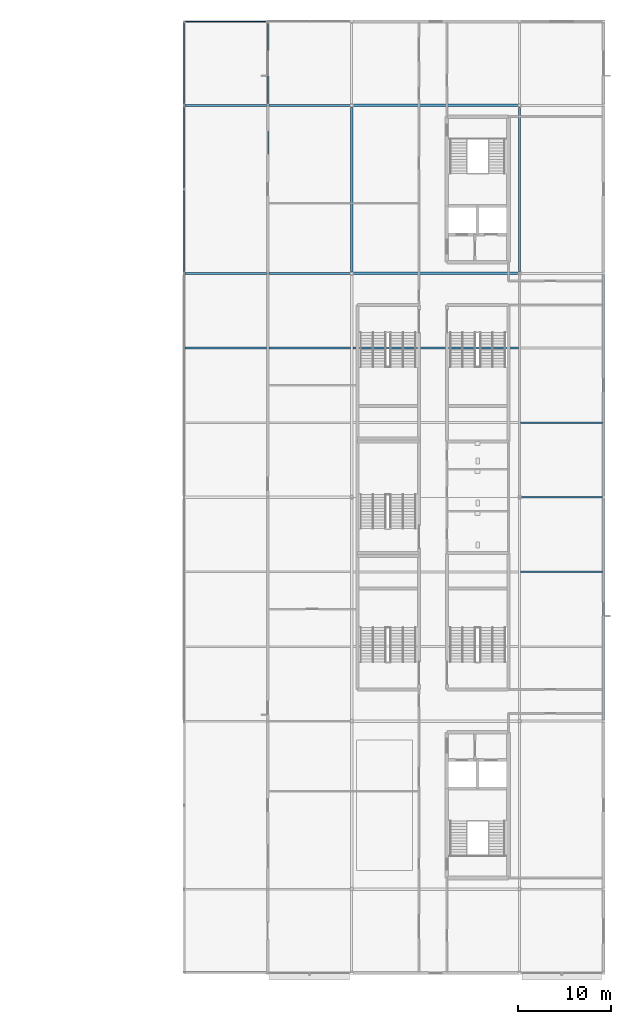
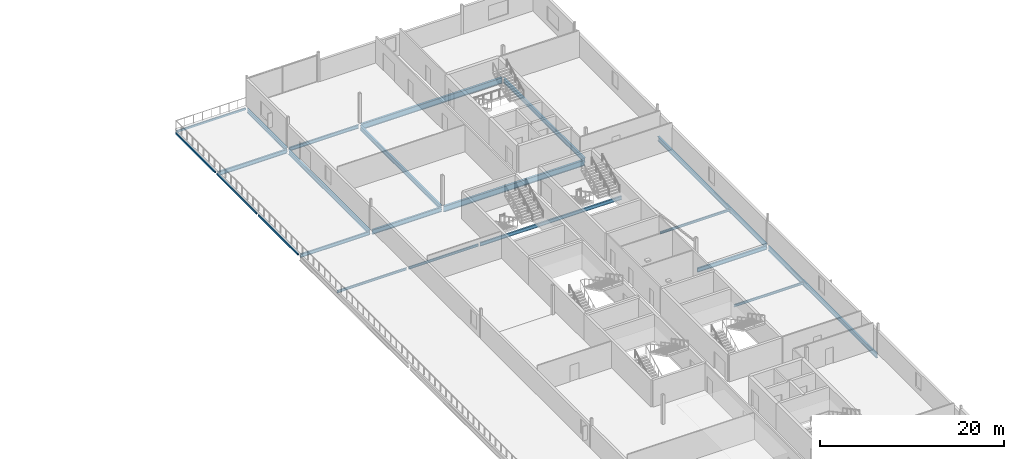
# One storey, part 24 of 55: 22 beams.
"""IFC4 building model written with IfcOpenShell, lengths in metres."""

import ifcopenshell
import ifcopenshell.guid

model = None  # the IFC model being written
_history = None  # IfcOwnerHistory: only IFC2X3 demands one
_inside = {}  # id of a spatial element -> (the spatial element, [elements in it])
_under = {}  # id of a project, library or spatial element -> (it, [spatial elements below it])
_declared = {}  # id of a project -> (the project, [libraries it declares])
_typed = {}  # id of a type object -> (the type object, [elements of that type])
_made_of = {}  # id of a material, layer set ... -> (it, [elements and type objects made of it])


def new_model(schema):
    """Start an empty IFC model of exactly this schema.

    Asked for "IFC4X3", IfcOpenShell would pick the latest addendum, in which some entities
    have other attributes; the version numbers below select the first issue.
    IFC2X3 requires an IfcOwnerHistory on every rooted entity: one is made here for all.
    """
    global model, _history
    if schema == "IFC4X3":
        model = ifcopenshell.file(schema_version=(4, 3, 0, 0))
    else:
        model = ifcopenshell.file(schema=schema)
    _inside.clear()
    _under.clear()
    _declared.clear()
    _typed.clear()
    _made_of.clear()
    _history = None
    if model.schema == "IFC2X3":
        org = make("IfcOrganization", Name="unknown")
        user = make(
            "IfcPersonAndOrganization",
            ThePerson=make("IfcPerson", FamilyName="unknown"),
            TheOrganization=org,
        )
        app = make(
            "IfcApplication",
            ApplicationDeveloper=org,
            Version="unknown",
            ApplicationFullName="unknown",
            ApplicationIdentifier="unknown",
        )
        _history = make(
            "IfcOwnerHistory",
            OwningUser=user,
            OwningApplication=app,
            ChangeAction="ADDED",
            CreationDate=0,
        )
    return model


def make(cls, **values):
    """One entity of the class cls with the attributes given. An attribute that is None is left unset."""
    return model.create_entity(
        cls, **{name: value for name, value in values.items() if value is not None}
    )


def rooted(cls, **values):
    """An entity with a GlobalId (a new one), such as an element, a storey or a relation."""
    return make(cls, GlobalId=ifcopenshell.guid.new(), OwnerHistory=_history, **values)


def si_unit(unit_type, name, prefix=None):
    """IfcSIUnit, for example si_unit("LENGTHUNIT", "METRE", prefix="MILLI")."""
    return make("IfcSIUnit", UnitType=unit_type, Prefix=prefix, Name=name)


def assignment(units):
    """IfcUnitAssignment: the units of a project."""
    return None if units is None else make("IfcUnitAssignment", Units=units)


def point(xyz):
    """IfcCartesianPoint."""
    return None if xyz is None else make("IfcCartesianPoint", Coordinates=xyz)


def direction(xyz):
    """IfcDirection."""
    return None if xyz is None else make("IfcDirection", DirectionRatios=xyz)


def frame(location, z_axis=None, x_axis=None):
    """IfcAxis2Placement3D, a coordinate frame: its origin and axes. An axis left out is left unset."""
    return make(
        "IfcAxis2Placement3D",
        Location=point(location),
        Axis=direction(z_axis),
        RefDirection=direction(x_axis),
    )


def frame_2d(location, x_axis=None):
    """IfcAxis2Placement2D, a coordinate frame in the plane: its origin and x axis."""
    return make(
        "IfcAxis2Placement2D", Location=point(location), RefDirection=direction(x_axis)
    )


def origin():
    """The frame at (0, 0, 0) with its axes left unset."""
    return frame((0.0, 0.0, 0.0))


def origin_2d():
    """The frame at (0, 0) in the plane with its x axis left unset."""
    return frame_2d((0.0, 0.0))


def place(relative_to, where):
    """IfcLocalPlacement: puts the frame where relative to a parent placement (None: the world)."""
    return make(
        "IfcLocalPlacement", PlacementRelTo=relative_to, RelativePlacement=where
    )


def context(
    kind, dimensions, precision=None, world=None, true_north=None, identifier=None
):
    """IfcGeometricRepresentationContext, for example the 3D "Model" context."""
    return make(
        "IfcGeometricRepresentationContext",
        ContextIdentifier=identifier,
        ContextType=kind,
        CoordinateSpaceDimension=dimensions,
        Precision=precision,
        WorldCoordinateSystem=world,
        TrueNorth=true_north,
    )


def subcontext(parent, identifier, kind, view, scale=None):
    """IfcGeometricRepresentationSubContext, for example "Body" below "Model"."""
    return make(
        "IfcGeometricRepresentationSubContext",
        ContextIdentifier=identifier,
        ContextType=kind,
        ParentContext=parent,
        TargetScale=scale,
        TargetView=view,
    )


def project(units=None, contexts=None):
    """IfcProject with its units and contexts."""
    return rooted(
        "IfcProject",
        Name="project",
        RepresentationContexts=contexts,
        UnitsInContext=assignment(units),
    )


def spatial(cls, under=None, at=None, **own):
    """A site, building, storey or space (cls), placed at a placement, below another one or the project."""
    s = rooted(cls, ObjectPlacement=at, **own)
    if under is not None:
        _under.setdefault(under.id(), (under, []))[1].append(s)
    return s


def profile(cls, at=None, kind="AREA", **sizes):
    """A parametric profile (cls). Its sizes go by their IFC names, for example OverallWidth=200.0."""
    return make(cls, ProfileType=kind, Position=at, **sizes)


def hollow_rectangle(**sizes):
    """IfcRectangleHollowProfileDef."""
    return profile("IfcRectangleHollowProfileDef", **sizes)


def i_section(**sizes):
    """IfcIShapeProfileDef."""
    return profile("IfcIShapeProfileDef", **sizes)


def extrude(swept, where, along, depth):
    """IfcExtrudedAreaSolid: the profile swept, set in the frame where, extruded along a direction by depth."""
    return make(
        "IfcExtrudedAreaSolid",
        SweptArea=swept,
        Position=where,
        ExtrudedDirection=direction(along),
        Depth=depth,
    )


def shape(context_of_items, identifier, shape_type, items):
    """IfcShapeRepresentation: the items that make up one representation, for example the "Body"."""
    return make(
        "IfcShapeRepresentation",
        ContextOfItems=context_of_items,
        RepresentationIdentifier=identifier,
        RepresentationType=shape_type,
        Items=items,
    )


def material(Name=None, Category=None):
    """IfcMaterial."""
    return make("IfcMaterial", Name=Name, Category=Category)


def material_profile(
    of_material, cross_section, Name=None, Category=None, Priority=None
):
    """IfcMaterialProfile: a cross section and its material."""
    return make(
        "IfcMaterialProfile",
        Name=Name,
        Material=of_material,
        Profile=cross_section,
        Priority=Priority,
        Category=Category,
    )


def profile_set(profiles, Name=None, composite=None):
    """IfcMaterialProfileSet."""
    return make(
        "IfcMaterialProfileSet",
        Name=Name,
        MaterialProfiles=profiles,
        CompositeProfile=composite,
    )


def made_of(thing, what):
    """Note that an element or type object is made of a material, layer set ...; save() writes the relation."""
    if what is not None:
        _made_of.setdefault(what.id(), (what, []))[1].append(thing)
    return thing


def type_object(cls, material=None, **own):
    """A type object (cls), such as IfcWallType, which elements share."""
    return made_of(rooted(cls, **own), material)


def element(
    cls,
    number,
    at=None,
    inside=None,
    cuts=None,
    type_object=None,
    material=None,
    context=None,
    identifier="Body",
    shape_type=None,
    held_by="IfcProductDefinitionShape",
    body=None,
    shapes=None,
    **own,
):
    """One element of the class cls, such as IfcWall. Its Tag is "e" and its number.

    at: its placement. inside: the storey or other place that contains it. cuts: it is an
    opening in that element (IfcRelVoidsElement). A single representation is given by context,
    identifier, shape_type and body (its items); several are given by shapes. held_by: the class
    of the entity that holds the representations. save() writes the other relations.
    """
    e = rooted(cls, Tag="e%d" % number, ObjectPlacement=at, **own)
    if body is not None:
        shapes = [shape(context, identifier, shape_type, body)]
    if shapes is not None:
        e.Representation = make(held_by, Representations=shapes)
    if inside is not None:
        _inside.setdefault(inside.id(), (inside, []))[1].append(e)
    if cuts is not None:
        rooted(
            "IfcRelVoidsElement", RelatingBuildingElement=cuts, RelatedOpeningElement=e
        )
    if type_object is not None:
        _typed.setdefault(type_object.id(), (type_object, []))[1].append(e)
    return made_of(e, material)


def aggregate(whole, parts):
    """IfcRelAggregates: a whole, such as a stair, and the parts it consists of."""
    return rooted("IfcRelAggregates", RelatingObject=whole, RelatedObjects=parts)


def save(model, path):
    """Write the relations noted so far, then the file.

    IfcRelAggregates (storeys below a building ...), IfcRelContainedInSpatialStructure (elements
    in a storey), IfcRelDefinesByType, IfcRelAssociatesMaterial and IfcRelDeclares: one each for
    every whole, place, type object, material and project.
    """
    for whole, parts in _under.values():
        aggregate(whole, parts)
    for where, things in _inside.values():
        rooted(
            "IfcRelContainedInSpatialStructure",
            RelatedElements=things,
            RelatingStructure=where,
        )
    for kind, things in _typed.values():
        rooted("IfcRelDefinesByType", RelatedObjects=things, RelatingType=kind)
    for what, things in _made_of.values():
        rooted("IfcRelAssociatesMaterial", RelatedObjects=things, RelatingMaterial=what)
    for by, libraries in _declared.values():
        rooted("IfcRelDeclares", RelatingContext=by, RelatedDefinitions=libraries)
    model.write(path)


model = new_model("IFC4")

# Units and contexts
model_context = context("Model", 3, precision=1e-05, world=origin(), true_north=direction((0.0, 1.0)))
body_context = subcontext(model_context, "Body", "Model", "MODEL_VIEW")
ifc_project = project(units=[si_unit("LENGTHUNIT", "METRE"), si_unit("AREAUNIT", "SQUARE_METRE"), si_unit("VOLUMEUNIT", "CUBIC_METRE"), si_unit("PLANEANGLEUNIT", "RADIAN"), si_unit("MASSUNIT", "GRAM", prefix="KILO")], contexts=[model_context])

# Site, building, storey
site_placement = place(None, origin())
site = spatial("IfcSite", under=ifc_project, at=site_placement, CompositionType="ELEMENT")
building_placement = place(site_placement, origin())
building = spatial("IfcBuilding", under=site, at=building_placement, Name="Kisiwana Market Hall", CompositionType="ELEMENT")
storey_placement = place(building_placement, frame((0.0, 0.0, 37.800048828125)))
storey = spatial("IfcBuildingStorey", under=building, at=storey_placement, Name="L08", CompositionType="ELEMENT", Elevation=37.800048828125)

# Beams
ifc_material_1 = material(Name="Steel S355", Category="steel")
ifc_material_profile_1 = material_profile(ifc_material_1, i_section(OverallWidth=0.19140625, OverallDepth=0.4599609375, WebThickness=0.010009765625, FlangeThickness=0.01611328125, at=origin_2d()), Name="UB 457x191x82")
ifc_profile_set_1 = profile_set([ifc_material_profile_1], Name="Steel S355")
beam_type_1 = type_object("IfcBeamType", Name="BM-GIRD-UB082", PredefinedType="BEAM", material=ifc_profile_set_1)
beam_1_placement = place(storey_placement, frame((162.14599609375, 102.0, -0.47509765625), z_axis=(1.0, 0.0, 0.0), x_axis=(0.0, 1.0, 0.0)))
element("IfcBeam", 1, at=beam_1_placement, inside=storey, type_object=beam_type_1, Name="Floor beam B-2181", PredefinedType="BEAM", context=body_context, shape_type="SweptSolid", body=[
    extrude(i_section(OverallWidth=0.19140625, OverallDepth=0.4599609375, WebThickness=0.010009765625, FlangeThickness=0.01611328125, at=origin_2d()), origin(), (0.0, 0.0, 1.0), 8.7080078125),
])
ifc_material_2 = material(Name="Steel S355", Category="steel")
ifc_material_profile_2 = material_profile(ifc_material_2, i_section(OverallWidth=0.210693359375, OverallDepth=0.53955078125, WebThickness=0.01171875, FlangeThickness=0.018798828125, FilletRadius=0.0126953125, at=origin_2d()), Name="UB 533x210x109")
ifc_profile_set_2 = profile_set([ifc_material_profile_2], Name="Steel S355")
beam_type_2 = type_object("IfcBeamType", Name="BM-GIRD-UB109", PredefinedType="BEAM", material=ifc_profile_set_2)
beam_2_placement = place(storey_placement, frame((153.14599609375, 102.0, -0.5947265625), z_axis=(1.0, 0.0, 0.0), x_axis=(0.0, 1.0, 0.0)))
element("IfcBeam", 2, at=beam_2_placement, inside=storey, type_object=beam_type_2, Name="Floor beam B-2180", PredefinedType="BEAM", context=body_context, shape_type="SweptSolid", body=[
    extrude(i_section(OverallWidth=0.210693359375, OverallDepth=0.53955078125, WebThickness=0.01171875, FlangeThickness=0.018798828125, FilletRadius=0.0126953125, at=origin_2d()), origin(), (0.0, 0.0, 1.0), 8.7080078125),
])
ifc_material_3 = material(Name="Steel S355", Category="steel")
ifc_material_profile_3 = material_profile(ifc_material_3, i_section(OverallWidth=0.230224609375, OverallDepth=0.6171875, WebThickness=0.01318359375, FlangeThickness=0.022216796875, FilletRadius=0.0126953125, at=origin_2d()), Name="UB 610x229x140")
ifc_profile_set_3 = profile_set([ifc_material_profile_3], Name="Steel S355")
beam_type_3 = type_object("IfcBeamType", Name="BM-GIRD-UB140", PredefinedType="BEAM", material=ifc_profile_set_3)
beam_3_placement = place(storey_placement, frame((162.14599609375, 84.0, -0.5537109375), z_axis=(1.0, 0.0, 0.0), x_axis=(0.0, 1.0, 0.0)))
element("IfcBeam", 3, at=beam_3_placement, inside=storey, type_object=beam_type_3, Name="Floor beam B-2173", PredefinedType="BEAM", context=body_context, shape_type="SweptSolid", body=[
    extrude(i_section(OverallWidth=0.230224609375, OverallDepth=0.6171875, WebThickness=0.01318359375, FlangeThickness=0.022216796875, FilletRadius=0.0126953125, at=origin_2d()), origin(), (0.0, 0.0, 1.0), 8.7080078125),
])
ifc_material_4 = material(Name="Steel S355", Category="steel")
ifc_material_profile_4 = material_profile(ifc_material_4, i_section(OverallWidth=0.19140625, OverallDepth=0.4599609375, WebThickness=0.010009765625, FlangeThickness=0.01611328125, at=origin_2d()), Name="UB 457x191x82")
ifc_profile_set_4 = profile_set([ifc_material_profile_4], Name="Steel S355")
beam_type_4 = type_object("IfcBeamType", Name="BM-GIRD-UB457H", PredefinedType="BEAM", material=ifc_profile_set_4)
beam_4_placement = place(storey_placement, frame((153.14599609375, 84.0, -0.554931640625), z_axis=(1.0, 0.0, 0.0), x_axis=(0.0, 1.0, 0.0)))
element("IfcBeam", 4, at=beam_4_placement, inside=storey, type_object=beam_type_4, Name="Floor beam B-2172", PredefinedType="BEAM", context=body_context, shape_type="SweptSolid", body=[
    extrude(i_section(OverallWidth=0.19140625, OverallDepth=0.4599609375, WebThickness=0.010009765625, FlangeThickness=0.01611328125, at=origin_2d()), origin(), (0.0, 0.0, 1.0), 8.7080078125),
])
ifc_material_5 = material(Name="Steel S355", Category="steel")
ifc_material_profile_5 = material_profile(ifc_material_5, i_section(OverallWidth=0.209228515625, OverallDepth=0.533203125, WebThickness=0.010009765625, FlangeThickness=0.015625, at=origin_2d()), Name="UB 533x210x92")
ifc_profile_set_5 = profile_set([ifc_material_profile_5], Name="Steel S355")
beam_type_5 = type_object("IfcBeamType", Name="BM-GIRD-UB533", PredefinedType="BEAM", material=ifc_profile_set_5)
beam_5_placement = place(storey_placement, frame((189.14599609375, 60.0, -0.51171875), z_axis=(1.0, 0.0, 0.0), x_axis=(0.0, 1.0, 0.0)))
element("IfcBeam", 5, at=beam_5_placement, inside=storey, type_object=beam_type_5, Name="Primary girder B-2077", PredefinedType="BEAM", context=body_context, shape_type="SweptSolid", body=[
    extrude(i_section(OverallWidth=0.209228515625, OverallDepth=0.533203125, WebThickness=0.010009765625, FlangeThickness=0.015625, at=origin_2d()), origin(), (0.0, 0.0, 1.0), 8.7080078125),
])
beam_6_placement = place(storey_placement, frame((162.0, 102.196044921875, -0.591552734375), z_axis=(0.0, 1.0, 0.0), x_axis=(-1.0, 0.0, 0.0)))
element("IfcBeam", 6, at=beam_6_placement, inside=storey, type_object=beam_type_5, Name="Primary girder B-2099", PredefinedType="BEAM", context=body_context, shape_type="SweptSolid", body=[
    extrude(i_section(OverallWidth=0.209228515625, OverallDepth=0.533203125, WebThickness=0.010009765625, FlangeThickness=0.015625, at=origin_2d()), origin(), (0.0, 0.0, 1.0), 8.60791015625),
])
ifc_material_6 = material(Name="Steel S355", Category="steel")
ifc_material_profile_6 = material_profile(ifc_material_6, i_section(OverallWidth=0.22900390625, OverallDepth=0.6123046875, WebThickness=0.011962890625, FlangeThickness=0.01953125, at=origin_2d()), Name="UB 610x229x125")
ifc_profile_set_6 = profile_set([ifc_material_profile_6], Name="Steel S355")
beam_type_6 = type_object("IfcBeamType", Name="BM-GIRD-UB610H", PredefinedType="BEAM", material=ifc_profile_set_6)
for number, where, z_axis, x_axis, name in (
    (7, (198.0, 36.196044921875, -0.55126953125), (0.0, 1.0, 0.0), (-1.0, 0.0, 0.0), "Floor beam B-2220"),
    (8, (198.0, 60.196044921875, -0.55126953125), (0.0, 1.0, 0.0), (-1.0, 0.0, 0.0), "Floor beam B-2221"),
):
    element("IfcBeam", number, at=place(storey_placement, frame(where, z_axis=z_axis, x_axis=x_axis)), inside=storey, type_object=beam_type_6, Name=name, PredefinedType="BEAM", context=body_context, shape_type="SweptSolid", body=[
        extrude(i_section(OverallWidth=0.22900390625, OverallDepth=0.6123046875, WebThickness=0.011962890625, FlangeThickness=0.01953125, at=origin_2d()), origin(), (0.0, 0.0, 1.0), 23.60791015625),
    ])
beam_7_placement = place(storey_placement, frame((162.0, 84.196044921875, -0.631103515625), z_axis=(0.0, 1.0, 0.0), x_axis=(-1.0, 0.0, 0.0)))
element("IfcBeam", 9, at=beam_7_placement, inside=storey, type_object=beam_type_6, Name="Primary girder B-2098", PredefinedType="BEAM", context=body_context, shape_type="SweptSolid", body=[
    extrude(i_section(OverallWidth=0.22900390625, OverallDepth=0.6123046875, WebThickness=0.011962890625, FlangeThickness=0.01953125, at=origin_2d()), origin(), (0.0, 0.0, 1.0), 17.60791015625),
])
for number, where, z_axis, x_axis, name in (
    (10, (171.0, 84.220947265625, -0.55126953125), (0.0, 1.0, 0.0), (-1.0, 0.0, 0.0), "Primary girder B-2102"),
    (11, (189.0, 84.220947265625, -0.55126953125), (0.0, 1.0, 0.0), (-1.0, 0.0, 0.0), "Primary girder B-2108"),
):
    element("IfcBeam", number, at=place(storey_placement, frame(where, z_axis=z_axis, x_axis=x_axis)), inside=storey, type_object=beam_type_6, Name=name, PredefinedType="BEAM", context=body_context, shape_type="SweptSolid", body=[
        extrude(i_section(OverallWidth=0.22900390625, OverallDepth=0.6123046875, WebThickness=0.011962890625, FlangeThickness=0.01953125, at=origin_2d()), origin(), (0.0, 0.0, 1.0), 17.55810546875),
    ])
ifc_material_7 = material(Name="Steel S355", Category="steel")
ifc_material_profile_7 = material_profile(ifc_material_7, i_section(OverallWidth=0.2666015625, OverallDepth=0.76220703125, WebThickness=0.014404296875, FlangeThickness=0.021484375, at=origin_2d()), Name="UB 762x267x173")
ifc_profile_set_7 = profile_set([ifc_material_profile_7], Name="Steel S355")
beam_type_7 = type_object("IfcBeamType", Name="BM-GIRD-UB762", PredefinedType="BEAM", material=ifc_profile_set_7)
for number, where, z_axis, x_axis, name in (
    (12, (171.14599609375, 84.0, -0.626220703125), (1.0, 0.0, 0.0), (0.0, 1.0, 0.0), "Floor beam B-2174"),
    (13, (171.14599609375, 102.0, -0.626220703125), (1.0, 0.0, 0.0), (0.0, 1.0, 0.0), "Floor beam B-2182"),
):
    element("IfcBeam", number, at=place(storey_placement, frame(where, z_axis=z_axis, x_axis=x_axis)), inside=storey, type_object=beam_type_7, Name=name, PredefinedType="BEAM", context=body_context, shape_type="SweptSolid", body=[
        extrude(i_section(OverallWidth=0.2666015625, OverallDepth=0.76220703125, WebThickness=0.014404296875, FlangeThickness=0.021484375, at=origin_2d()), origin(), (0.0, 0.0, 1.0), 17.7080078125),
    ])
ifc_material_8 = material(Name="Steel S355", Category="steel")
ifc_material_profile_8 = material_profile(ifc_material_8, i_section(OverallWidth=0.165771484375, OverallDepth=0.306640625, WebThickness=0.006591796875, FlangeThickness=0.01171875, at=origin_2d()), Name="UB 305x165x46")
ifc_profile_set_8 = profile_set([ifc_material_profile_8], Name="Steel S355")
beam_type_8 = type_object("IfcBeamType", Name="BM-JOIST-UB305H", PredefinedType="JOIST", material=ifc_profile_set_8)
for number, where, z_axis, x_axis, name in (
    (14, (189.113525390625, 52.0, -0.3984375), (1.0, 0.0, 0.0), (0.0, 1.0, 0.0), "Secondary floor joist B-2125"),
    (15, (189.113525390625, 68.0, -0.3984375), (1.0, 0.0, 0.0), (0.0, 1.0, 0.0), "Secondary floor joist B-2133"),
    (16, (153.113525390625, 76.0, -0.478271484375), (1.0, 0.0, 0.0), (0.0, 1.0, 0.0), "Secondary floor joist B-2138"),
    (17, (162.113525390625, 76.0, -0.478271484375), (1.0, 0.0, 0.0), (0.0, 1.0, 0.0), "Secondary floor joist B-2139"),
):
    element("IfcBeam", number, at=place(storey_placement, frame(where, z_axis=z_axis, x_axis=x_axis)), inside=storey, type_object=beam_type_8, Name=name, PredefinedType="JOIST", context=body_context, shape_type="SweptSolid", body=[
        extrude(i_section(OverallWidth=0.165771484375, OverallDepth=0.306640625, WebThickness=0.006591796875, FlangeThickness=0.01171875, at=origin_2d()), origin(), (0.0, 0.0, 1.0), 8.77294921875),
    ])
ifc_material_9 = material(Name="Steel S355", Category="steel")
ifc_material_profile_9 = material_profile(ifc_material_9, i_section(OverallWidth=0.18994140625, OverallDepth=0.453369140625, WebThickness=0.008544921875, FlangeThickness=0.0126953125, at=origin_2d()), Name="UB 457x191x67")
ifc_profile_set_9 = profile_set([ifc_material_profile_9], Name="Steel S355")
beam_type_9 = type_object("IfcBeamType", Name="BM-JOIST-UB457", PredefinedType="JOIST", material=ifc_profile_set_9)
beam_8_placement = place(storey_placement, frame((171.113525390625, 76.0, -0.4716796875), z_axis=(1.0, 0.0, 0.0), x_axis=(0.0, 1.0, 0.0)))
element("IfcBeam", 18, at=beam_8_placement, inside=storey, type_object=beam_type_9, Name="Secondary floor joist B-2140", PredefinedType="JOIST", context=body_context, shape_type="SweptSolid", body=[
    extrude(i_section(OverallWidth=0.18994140625, OverallDepth=0.453369140625, WebThickness=0.008544921875, FlangeThickness=0.0126953125, at=origin_2d()), origin(), (0.0, 0.0, 1.0), 17.77294921875),
])
ifc_material_10 = material(Name="Steel S355", Category="steel")
ifc_material_profile_10 = material_profile(ifc_material_10, hollow_rectangle(XDim=0.14990234375, YDim=0.25, WallThickness=0.010009765625, at=origin_2d()), Name="RHS 250x150x10.0")
ifc_profile_set_10 = profile_set([ifc_material_profile_10], Name="Steel S355")
beam_type_10 = type_object("IfcBeamType", Name="BM-SPAN-RHS250", PredefinedType="SPANDREL", material=ifc_profile_set_10)
beam_9_placement = place(storey_placement, frame((153.14599609375, 111.0, -0.449951171875), z_axis=(1.0, 0.0, 0.0), x_axis=(0.0, 1.0, 0.0)))
element("IfcBeam", 19, at=beam_9_placement, inside=storey, type_object=beam_type_10, Name="Floor beam B-2188", PredefinedType="SPANDREL", context=body_context, shape_type="SweptSolid", body=[
    extrude(hollow_rectangle(XDim=0.14990234375, YDim=0.25, WallThickness=0.010009765625, at=origin_2d()), origin(), (0.0, 0.0, 1.0), 8.7080078125),
])
for number, where, z_axis, x_axis, name in (
    (20, (153.0, 84.196044921875, -0.449951171875), (0.0, 1.0, 0.0), (-1.0, 0.0, 0.0), "Floor beam B-2213"),
    (21, (153.0, 93.196044921875, -0.449951171875), (0.0, 1.0, 0.0), (-1.0, 0.0, 0.0), "Floor beam B-2214"),
    (22, (153.0, 102.196044921875, -0.449951171875), (0.0, 1.0, 0.0), (-1.0, 0.0, 0.0), "Floor beam B-2215"),
):
    element("IfcBeam", number, at=place(storey_placement, frame(where, z_axis=z_axis, x_axis=x_axis)), inside=storey, type_object=beam_type_10, Name=name, PredefinedType="SPANDREL", context=body_context, shape_type="SweptSolid", body=[
        extrude(hollow_rectangle(XDim=0.14990234375, YDim=0.25, WallThickness=0.010009765625, at=origin_2d()), origin(), (0.0, 0.0, 1.0), 8.60791015625),
    ])

save(model, "model.ifc")
